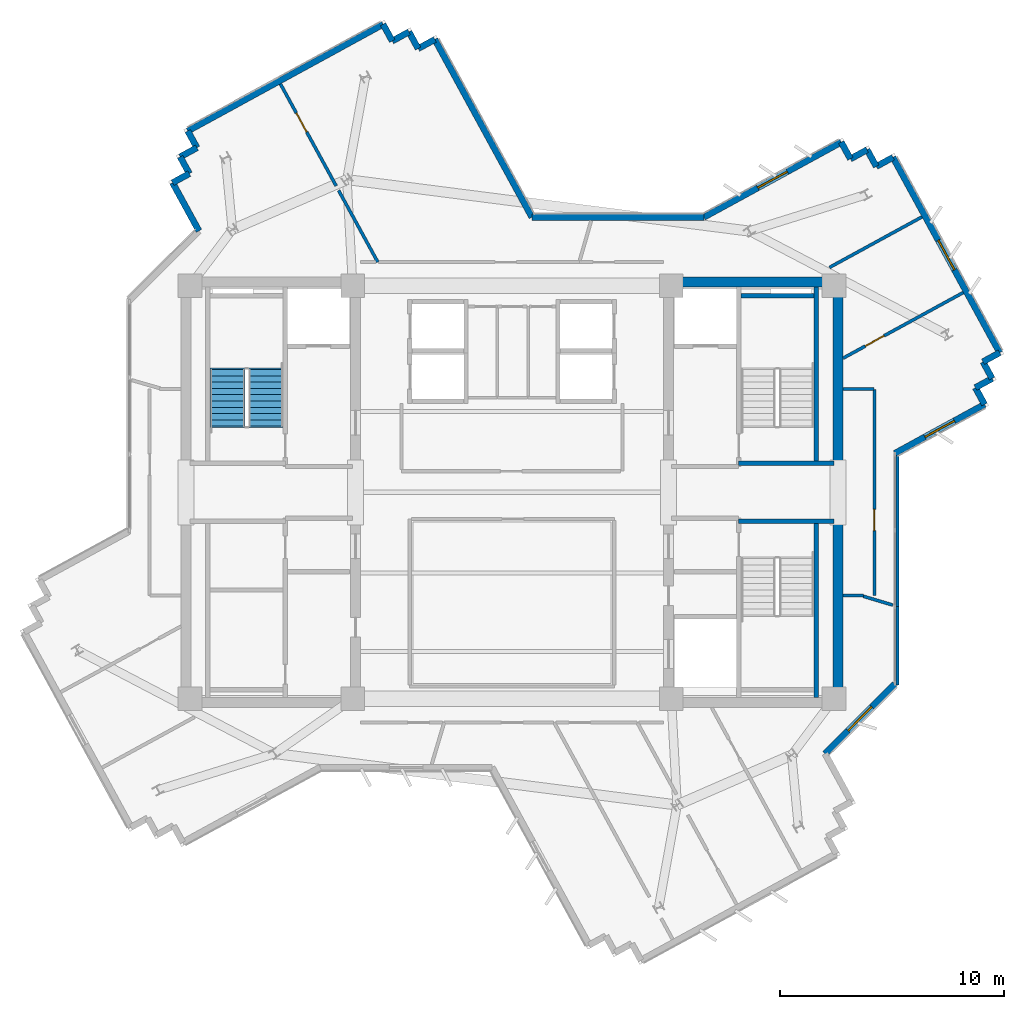
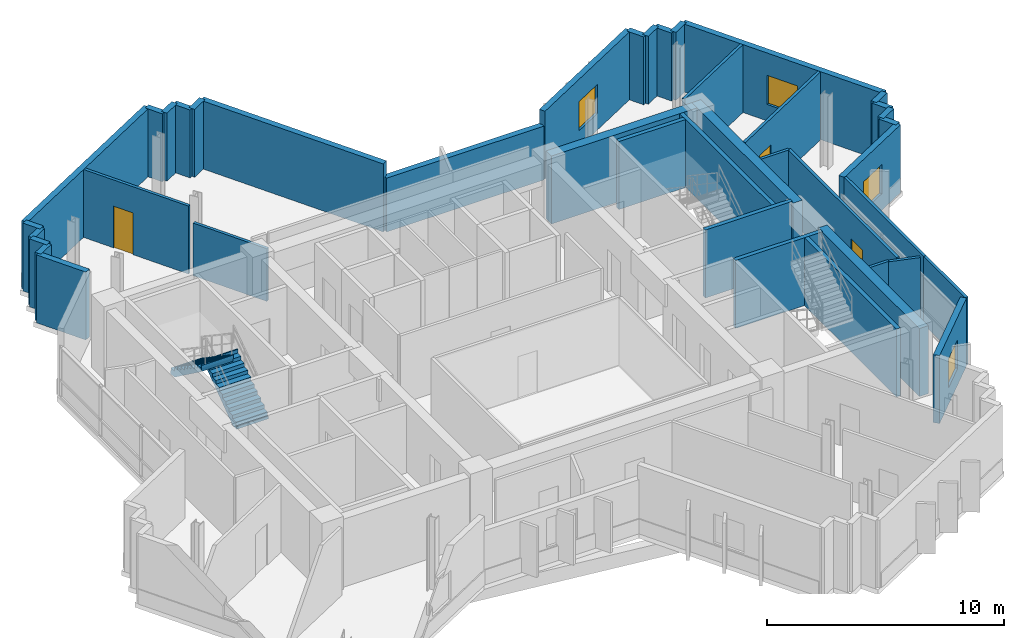
# One storey, part 8 of 13: 42 walls, 4 windows, 3 doors, 2 stair flights, 7 openings, 1 element without a shape of its own.
"""IFC4 building model written with IfcOpenShell, lengths in metres."""

from ifc_helpers import new_model, si_unit, direction, frame, frame_2d, origin, place, context, subcontext, project, spatial, polyline, rectangle, outline, extrude, source, transform, mapped, material, layer, layer_set, type_object, element, fill, aggregate, save


model = new_model("IFC4")

# Units and contexts
model_context = context("Model", 3, precision=1e-05, world=origin(), true_north=direction((0.0, 1.0)))
body_context = subcontext(model_context, "Body", "Model", "MODEL_VIEW")
ifc_project = project(units=[si_unit("LENGTHUNIT", "METRE"), si_unit("AREAUNIT", "SQUARE_METRE"), si_unit("VOLUMEUNIT", "CUBIC_METRE"), si_unit("PLANEANGLEUNIT", "RADIAN"), si_unit("MASSUNIT", "GRAM", prefix="KILO")], contexts=[model_context])

# Site, building, storey
site_placement = place(None, origin())
site = spatial("IfcSite", under=ifc_project, at=site_placement, CompositionType="ELEMENT")
building_placement = place(site_placement, origin())
building = spatial("IfcBuilding", under=site, at=building_placement, Name="Zahravan Cultural Tower", CompositionType="ELEMENT")
storey_placement = place(building_placement, frame((0.0, 0.0, 250.35009765625)))
storey = spatial("IfcBuildingStorey", under=building, at=storey_placement, Name="L59", CompositionType="ELEMENT", Elevation=250.35009765625)

# Wall, opening, window
ifc_material_1 = material(Name="Precast concrete C40/50", Category="concrete")
ifc_layer_1 = layer(ifc_material_1, 0.280029296875)
ifc_layer_set_1 = layer_set([ifc_layer_1], Name="Precast concrete C40/50")
wall_type_1 = type_object("IfcWallType", Name="EW-TC-280", PredefinedType="SOLIDWALL", material=ifc_layer_set_1)
wall_1_placement = place(storey_placement, frame((44.54931640625, 39.260009765625, 0.0), z_axis=(0.0, 0.0, 1.0), x_axis=(0.877569176667, 0.479450039279, 0.0)))
wall_1 = element("IfcWall", 1, at=wall_1_placement, inside=storey, type_object=wall_type_1, Name="L59 Exterior Masonry Frame Wall 01", PredefinedType="SOLIDWALL", context=body_context, shape_type="SweptSolid", body=[
    extrude(rectangle(XDim=6.979248046875, YDim=0.280029296875, at=frame_2d((3.48974609375, 0.0))), origin(), (0.0, 0.0, 1.0), 3.5),
])
opening_1_placement = place(wall_1_placement, frame((2.739990234375, 0.0, 0.85009765625)))
opening_1 = element("IfcOpeningElement", 2, at=opening_1_placement, cuts=wall_1, Name="Opening WN-03", PredefinedType="OPENING", context=body_context, shape_type="SweptSolid", body=[
    extrude(rectangle(XDim=1.5, YDim=1.5, at=frame_2d((0.75, 0.75))), frame((0.0, 0.14990234375, 0.0), z_axis=(0.0, -1.0, 0.0), x_axis=(1.0, 0.0, 0.0)), (0.0, 0.0, 1.0), 0.300048828125),
])
ifc_material_2 = material(Name="Low-E solar-control double glazing", Category="glass")
window_type = type_object("IfcWindowType", Name="WN-REC-1500X1500", PartitioningType="SINGLE_PANEL", PredefinedType="WINDOW", material=ifc_material_2)
shared_shape_1 = source(origin(), body_context, "Body", "SweptSolid", [
    extrude(rectangle(XDim=1.5, YDim=1.5, at=frame_2d((0.75, 0.75))), frame((0.0, 0.030029296875, 0.0), z_axis=(0.0, -1.0, 0.0), x_axis=(1.0, 0.0, 0.0)), (0.0, 0.0, 1.0), 0.06005859375),
])
window_1_placement = place(opening_1_placement, origin())
window_1 = element("IfcWindow", 3, at=window_1_placement, inside=storey, type_object=window_type, Name="L59 Recessed Solar Window 01", OverallHeight=1.5, OverallWidth=1.5, PartitioningType="SINGLE_PANEL", PredefinedType="WINDOW", context=body_context, shape_type="MappedRepresentation", body=[
    mapped(shared_shape_1, transform((0.0, 0.0, 0.0), x_axis=(1.0, 0.0, 0.0), y_axis=(0.0, 1.0, 0.0), z_axis=(0.0, 0.0, 1.0), scale=1.0)),
])
fill(opening_1, window_1)

wall_2_placement = place(storey_placement, frame((52.98095703125, 41.929443359375, 0.0), z_axis=(0.0, 0.0, 1.0), x_axis=(0.479472774144, -0.877556755347, 0.0)))
wall_2 = element("IfcWall", 4, at=wall_2_placement, inside=storey, type_object=wall_type_1, Name="L59 Exterior Masonry Frame Wall 06", PredefinedType="SOLIDWALL", context=body_context, shape_type="SweptSolid", body=[
    extrude(rectangle(XDim=9.919921875, YDim=0.280029296875, at=frame_2d((4.9599609375, 0.0))), origin(), (0.0, 0.0, 1.0), 3.5),
])
opening_2_placement = place(wall_2_placement, frame((4.2099609375, 0.0, 0.85009765625)))
opening_2 = element("IfcOpeningElement", 5, at=opening_2_placement, cuts=wall_2, Name="Opening WN-03", PredefinedType="OPENING", context=body_context, shape_type="SweptSolid", body=[
    extrude(rectangle(XDim=1.5, YDim=1.5, at=frame_2d((0.75, 0.75))), frame((0.0, 0.14990234375, 0.0), z_axis=(0.0, -1.0, 0.0), x_axis=(1.0, 0.0, 0.0)), (0.0, 0.0, 1.0), 0.300048828125),
])
window_2_placement = place(opening_2_placement, origin())
window_2 = element("IfcWindow", 6, at=window_2_placement, inside=storey, type_object=window_type, Name="L59 Recessed Solar Window 02", OverallHeight=1.5, OverallWidth=1.5, PartitioningType="SINGLE_PANEL", PredefinedType="WINDOW", context=body_context, shape_type="MappedRepresentation", body=[
    mapped(shared_shape_1, transform((0.0, 0.0, 0.0), x_axis=(1.0, 0.0, 0.0), y_axis=(0.0, 1.0, 0.0), z_axis=(0.0, 0.0, 1.0), scale=1.0)),
])
fill(opening_2, window_2)

wall_3_placement = place(storey_placement, frame((57.060302734375, 30.9169921875, 0.0), z_axis=(0.0, 0.0, 1.0), x_axis=(-0.877563774399, -0.479459927276, 0.0)))
wall_3 = element("IfcWall", 7, at=wall_3_placement, inside=storey, type_object=wall_type_1, Name="L59 Exterior Masonry Frame Wall 11", PredefinedType="SOLIDWALL", context=body_context, shape_type="SweptSolid", body=[
    extrude(rectangle(XDim=4.558349609375, YDim=0.280029296875, at=frame_2d((2.279296875, 0.0))), origin(), (0.0, 0.0, 1.0), 3.5),
])
opening_3_placement = place(wall_3_placement, frame((1.529052734375, 0.0, 0.85009765625)))
opening_3 = element("IfcOpeningElement", 8, at=opening_3_placement, cuts=wall_3, Name="Opening WN-03", PredefinedType="OPENING", context=body_context, shape_type="SweptSolid", body=[
    extrude(rectangle(XDim=1.5, YDim=1.5, at=frame_2d((0.75, 0.75))), frame((0.0, 0.14990234375, 0.0), z_axis=(0.0, -1.0, 0.0), x_axis=(1.0, 0.0, 0.0)), (0.0, 0.0, 1.0), 0.300048828125),
])
window_3_placement = place(opening_3_placement, origin())
window_3 = element("IfcWindow", 9, at=window_3_placement, inside=storey, type_object=window_type, Name="L59 Recessed Solar Window 03", OverallHeight=1.5, OverallWidth=1.5, PartitioningType="SINGLE_PANEL", PredefinedType="WINDOW", context=body_context, shape_type="MappedRepresentation", body=[
    mapped(shared_shape_1, transform((0.0, 0.0, 0.0), x_axis=(1.0, 0.0, 0.0), y_axis=(0.0, 1.0, 0.0), z_axis=(0.0, 0.0, 1.0), scale=1.0)),
])
fill(opening_3, window_3)

wall_4_placement = place(storey_placement, frame((53.06005859375, 18.4580078125, 0.0), z_axis=(0.0, 0.0, 1.0), x_axis=(-0.707106781187, -0.707106781187, 0.0)))
wall_4 = element("IfcWall", 10, at=wall_4_placement, inside=storey, type_object=wall_type_1, Name="L59 Exterior Masonry Frame Wall 12", PredefinedType="SOLIDWALL", context=body_context, shape_type="SweptSolid", body=[
    extrude(rectangle(XDim=4.3935546875, YDim=0.280029296875, at=frame_2d((2.19677734375, 0.0))), origin(), (0.0, 0.0, 1.0), 3.5),
])
opening_4_placement = place(wall_4_placement, frame((1.447021484375, 0.0, 0.85009765625)))
opening_4 = element("IfcOpeningElement", 11, at=opening_4_placement, cuts=wall_4, Name="Opening WN-03", PredefinedType="OPENING", context=body_context, shape_type="SweptSolid", body=[
    extrude(rectangle(XDim=1.5, YDim=1.5, at=frame_2d((0.75, 0.75))), frame((0.0, 0.14990234375, 0.0), z_axis=(0.0, -1.0, 0.0), x_axis=(1.0, 0.0, 0.0)), (0.0, 0.0, 1.0), 0.300048828125),
])
window_4_placement = place(opening_4_placement, origin())
window_4 = element("IfcWindow", 12, at=window_4_placement, inside=storey, type_object=window_type, Name="L59 Recessed Solar Window 04", OverallHeight=1.5, OverallWidth=1.5, PartitioningType="SINGLE_PANEL", PredefinedType="WINDOW", context=body_context, shape_type="MappedRepresentation", body=[
    mapped(shared_shape_1, transform((0.0, 0.0, 0.0), x_axis=(1.0, 0.0, 0.0), y_axis=(0.0, 1.0, 0.0), z_axis=(0.0, 0.0, 1.0), scale=1.0)),
])
fill(opening_4, window_4)

# Wall, opening, door
ifc_material_3 = material(Name="Gypsum plasterboard partition")
ifc_layer_2 = layer(ifc_material_3, 0.139892578125)
ifc_layer_set_2 = layer_set([ifc_layer_2], Name="Gypsum plasterboard partition")
wall_type_2 = type_object("IfcWallType", Name="W-PART-140", PredefinedType="PARTITIONING", material=ifc_layer_set_2)
wall_5_placement = place(storey_placement, frame((56.109375, 35.9013671875, 0.0), z_axis=(0.0, 0.0, 1.0), x_axis=(-0.877574248726, -0.479440755436, 0.0)))
wall_5 = element("IfcWall", 13, at=wall_5_placement, inside=storey, type_object=wall_type_2, Name="L59 Interior Wall 050", PredefinedType="PARTITIONING", context=body_context, shape_type="SweptSolid", body=[
    extrude(rectangle(XDim=6.1015625, YDim=0.139892578125, at=frame_2d((3.05078125, 0.0))), origin(), (0.0, 0.0, 1.0), 3.5),
])
opening_5_placement = place(wall_5_placement, frame((4.01806640625, 0.0, 0.0)))
opening_5 = element("IfcOpeningElement", 14, at=opening_5_placement, cuts=wall_5, Name="Opening D-L59-24", PredefinedType="OPENING", context=body_context, shape_type="SweptSolid", body=[
    extrude(rectangle(XDim=0.949951171875, YDim=2.14990234375, at=frame_2d((0.47509765625, 1.074951171875))), frame((0.0, 0.079833984375, 0.0), z_axis=(0.0, -1.0, 0.0), x_axis=(1.0, 0.0, 0.0)), (0.0, 0.0, 1.0), 0.159912109375),
])
ifc_material_4 = material(Name="Anodised bronze-aluminium mullion", Category="aluminium")
door_type = type_object("IfcDoorType", Name="DR-ROOM-950", OperationType="NOTDEFINED", PredefinedType="DOOR", material=ifc_material_4)
shared_shape_2 = source(origin(), body_context, "Body", "SweptSolid", [
    extrude(rectangle(XDim=0.949951171875, YDim=2.14990234375, at=frame_2d((0.47509765625, 1.074951171875))), frame((0.0, 0.02490234375, 0.0), z_axis=(0.0, -1.0, 0.0), x_axis=(1.0, 0.0, 0.0)), (0.0, 0.0, 1.0), 0.050048828125),
])
door_1_placement = place(opening_5_placement, origin())
door_1 = element("IfcDoor", 15, at=door_1_placement, inside=storey, type_object=door_type, Name="L59 Door D-L59-24", OperationType="SINGLE_SWING_RIGHT", OverallHeight=2.14990234375, OverallWidth=0.949951171875, PredefinedType="DOOR", context=body_context, shape_type="MappedRepresentation", body=[
    mapped(shared_shape_2, transform((0.0, 0.0, 0.0), x_axis=(1.0, 0.0, 0.0), y_axis=(0.0, 1.0, 0.0), z_axis=(0.0, 0.0, 1.0), scale=1.0)),
])
fill(opening_5, door_1)

wall_6_placement = place(storey_placement, frame((52.14990234375, 22.406005859375, 0.0), z_axis=(0.0, 0.0, 1.0), x_axis=(-2.657666e-05, 0.999999999647, 0.0)))
wall_6 = element("IfcWall", 16, at=wall_6_placement, inside=storey, type_object=wall_type_2, Name="L59 Interior Wall 066", PredefinedType="PARTITIONING", context=body_context, shape_type="SweptSolid", body=[
    extrude(rectangle(XDim=9.186279296875, YDim=0.139892578125, at=frame_2d((4.59326171875, 0.0))), origin(), (0.0, 0.0, 1.0), 3.5),
])
opening_6_placement = place(wall_6_placement, frame((2.8828125, 0.0, 0.0)))
opening_6 = element("IfcOpeningElement", 17, at=opening_6_placement, cuts=wall_6, Name="Opening D-L59-17", PredefinedType="OPENING", context=body_context, shape_type="SweptSolid", body=[
    extrude(rectangle(XDim=0.949951171875, YDim=2.14990234375, at=frame_2d((0.47509765625, 1.074951171875))), frame((0.0, 0.079833984375, 0.0), z_axis=(0.0, -1.0, 0.0), x_axis=(1.0, 0.0, 0.0)), (0.0, 0.0, 1.0), 0.159912109375),
])
door_2_placement = place(opening_6_placement, origin())
door_2 = element("IfcDoor", 18, at=door_2_placement, inside=storey, type_object=door_type, Name="L59 Door D-L59-17", OperationType="SINGLE_SWING_LEFT", OverallHeight=2.14990234375, OverallWidth=0.949951171875, PredefinedType="DOOR", context=body_context, shape_type="MappedRepresentation", body=[
    mapped(shared_shape_2, transform((0.0, 0.0, 0.0), x_axis=(1.0, 0.0, 0.0), y_axis=(0.0, 1.0, 0.0), z_axis=(0.0, 0.0, 1.0), scale=1.0)),
])
fill(opening_6, door_2)

wall_7_placement = place(storey_placement, frame((25.6826171875, 45.196044921875, 0.0), z_axis=(0.0, 0.0, 1.0), x_axis=(0.479427410708, -0.877581539153, 0.0)))
wall_7 = element("IfcWall", 19, at=wall_7_placement, inside=storey, type_object=wall_type_2, Name="L59 Interior Wall 077", PredefinedType="PARTITIONING", context=body_context, shape_type="SweptSolid", body=[
    extrude(rectangle(XDim=5.1728515625, YDim=0.139892578125, at=frame_2d((2.58642578125, 0.0))), origin(), (0.0, 0.0, 1.0), 3.5),
])
opening_7_placement = place(wall_7_placement, frame((1.47802734375, 0.0, 0.0)))
opening_7 = element("IfcOpeningElement", 20, at=opening_7_placement, cuts=wall_7, Name="Opening D-L59-25", PredefinedType="OPENING", context=body_context, shape_type="SweptSolid", body=[
    extrude(rectangle(XDim=0.949951171875, YDim=2.14990234375, at=frame_2d((0.47509765625, 1.074951171875))), frame((0.0, 0.079833984375, 0.0), z_axis=(0.0, -1.0, 0.0), x_axis=(1.0, 0.0, 0.0)), (0.0, 0.0, 1.0), 0.159912109375),
])
door_3_placement = place(opening_7_placement, origin())
door_3 = element("IfcDoor", 21, at=door_3_placement, inside=storey, type_object=door_type, Name="L59 Door D-L59-25", OperationType="SINGLE_SWING_LEFT", OverallHeight=2.14990234375, OverallWidth=0.949951171875, PredefinedType="DOOR", context=body_context, shape_type="MappedRepresentation", body=[
    mapped(shared_shape_2, transform((0.0, 0.0, 0.0), x_axis=(1.0, 0.0, 0.0), y_axis=(0.0, 1.0, 0.0), z_axis=(0.0, 0.0, 1.0), scale=1.0)),
])
fill(opening_7, door_3)

# Walls
ifc_material_5 = material(Name="Concrete C50/60", Category="concrete")
ifc_layer_3 = layer(ifc_material_5, 0.449951171875)
ifc_layer_set_3 = layer_set([ifc_layer_3], Name="Concrete C50/60")
wall_type_3 = type_object("IfcWallType", Name="CW-SHEAR-450-C50", PredefinedType="SHEAR", material=ifc_layer_set_3)
shared_shape_3 = source(origin(), body_context, "Body", "SweptSolid", [
    extrude(rectangle(XDim=8.550048828125, YDim=0.449951171875, at=frame_2d((4.27490234375, 0.0))), origin(), (0.0, 0.0, 1.0), 3.5),
])
for number, where, z_axis, x_axis, name in (
    (22, (50.52490234375, 17.39990234375, 0.0), (0.0, 0.0, 1.0), (0.0, 1.0, 0.0), "L59 Core Shear Wall CW-E-ES-L59"),
    (23, (50.52490234375, 28.050048828125, 0.0), (0.0, 0.0, 1.0), (0.0, 1.0, 0.0), "L59 Core Shear Wall CW-E-EN-L59"),
):
    element("IfcWall", number, at=place(storey_placement, frame(where, z_axis=z_axis, x_axis=x_axis)), inside=storey, type_object=wall_type_3, Name=name, PredefinedType="SHEAR", context=body_context, shape_type="MappedRepresentation", body=[
        mapped(shared_shape_3, transform((0.0, 0.0, 0.0), x_axis=(1.0, 0.0, 0.0), y_axis=(0.0, 1.0, 0.0), z_axis=(0.0, 0.0, 1.0), scale=1.0)),
    ])
shared_shape_4 = source(origin(), body_context, "Body", "SweptSolid", [
    extrude(rectangle(XDim=7.10009765625, YDim=0.449951171875, at=frame_2d((3.550048828125, 0.0))), origin(), (0.0, 0.0, 1.0), 3.5),
])
wall_8_placement = place(storey_placement, frame((43.199951171875, 36.375, 0.0), z_axis=(0.0, 0.0, 1.0), x_axis=(1.0, 0.0, 0.0)))
element("IfcWall", 24, at=wall_8_placement, inside=storey, type_object=wall_type_3, Name="L59 Core Shear Wall CW-E-N-L59", PredefinedType="SHEAR", context=body_context, shape_type="MappedRepresentation", body=[
    mapped(shared_shape_4, transform((0.0, 0.0, 0.0), x_axis=(1.0, 0.0, 0.0), y_axis=(0.0, 1.0, 0.0), z_axis=(0.0, 0.0, 1.0), scale=1.0)),
])
shared_shape_5 = source(origin(), body_context, "Body", "SweptSolid", [
    extrude(rectangle(XDim=0.85009765625, YDim=0.280029296875, at=frame_2d((0.425048828125, 0.0))), origin(), (0.0, 0.0, 1.0), 3.5),
])
for number, where, z_axis, x_axis, name in (
    (25, (51.827392578125, 42.267822265625, 0.0), (0.0, 0.0, 1.0), (0.479656876283, -0.877456141943, 0.0), "L59 Exterior Masonry Frame Wall 04"),
    (26, (56.65283203125, 31.6630859375, 0.0), (0.0, 0.0, 1.0), (0.479314855696, -0.877643019177, 0.0), "L59 Exterior Masonry Frame Wall 10"),
    (27, (21.619140625, 41.2041015625, 0.0), (0.0, 0.0, 1.0), (-0.479656876283, 0.877456141943, 0.0), "L59 Exterior Masonry Frame Wall 39"),
    (28, (21.21142578125, 41.949951171875, 0.0), (0.0, 0.0, 1.0), (0.877643019177, 0.479314855696, 0.0), "L59 Exterior Masonry Frame Wall 40"),
    (29, (31.40869140625, 47.521240234375, 0.0), (0.0, 0.0, 1.0), (0.479656876283, -0.877456141943, 0.0), "L59 Exterior Masonry Frame Wall 45"),
):
    element("IfcWall", number, at=place(storey_placement, frame(where, z_axis=z_axis, x_axis=x_axis)), inside=storey, type_object=wall_type_1, Name=name, PredefinedType="SOLIDWALL", context=body_context, shape_type="MappedRepresentation", body=[
        mapped(shared_shape_5, transform((0.0, 0.0, 0.0), x_axis=(1.0, 0.0, 0.0), y_axis=(0.0, 1.0, 0.0), z_axis=(0.0, 0.0, 1.0), scale=1.0)),
    ])
shared_shape_6 = source(origin(), body_context, "Body", "SweptSolid", [
    extrude(rectangle(XDim=0.849853515625, YDim=0.280029296875, at=frame_2d((0.4248046875, 0.0))), origin(), (0.0, 0.0, 1.0), 3.5),
])
for number, where, z_axis, x_axis, name in (
    (30, (50.674072265625, 42.606201171875, 0.0), (0.0, 0.0, 1.0), (0.479435691737, -0.877577015132, 0.0), "L59 Exterior Masonry Frame Wall 02"),
    (31, (51.08154296875, 41.8603515625, 0.0), (0.0, 0.0, 1.0), (0.877577015132, 0.479435691737, 0.0), "L59 Exterior Masonry Frame Wall 03"),
    (32, (52.235107421875, 41.52197265625, 0.0), (0.0, 0.0, 1.0), (0.877577015132, 0.479435691737, 0.0), "L59 Exterior Masonry Frame Wall 05"),
    (33, (56.9912109375, 32.81640625, 0.0), (0.0, 0.0, 1.0), (0.479435691737, -0.877577015132, 0.0), "L59 Exterior Masonry Frame Wall 08"),
    (34, (57.398681640625, 32.070556640625, 0.0), (0.0, 0.0, 1.0), (-0.877577015132, -0.479435691737, 0.0), "L59 Exterior Masonry Frame Wall 09"),
    (35, (30.25537109375, 47.859619140625, 0.0), (0.0, 0.0, 1.0), (0.479435691737, -0.877577015132, 0.0), "L59 Exterior Masonry Frame Wall 43"),
    (36, (30.662841796875, 47.11376953125, 0.0), (0.0, 0.0, 1.0), (0.877577015132, 0.479435691737, 0.0), "L59 Exterior Masonry Frame Wall 44"),
    (37, (31.81640625, 46.775390625, 0.0), (0.0, 0.0, 1.0), (0.877577015132, 0.479435691737, 0.0), "L59 Exterior Masonry Frame Wall 46"),
):
    element("IfcWall", number, at=place(storey_placement, frame(where, z_axis=z_axis, x_axis=x_axis)), inside=storey, type_object=wall_type_1, Name=name, PredefinedType="SOLIDWALL", context=body_context, shape_type="MappedRepresentation", body=[
        mapped(shared_shape_6, transform((0.0, 0.0, 0.0), x_axis=(1.0, 0.0, 0.0), y_axis=(0.0, 1.0, 0.0), z_axis=(0.0, 0.0, 1.0), scale=1.0)),
    ])
shared_shape_7 = source(origin(), body_context, "Body", "SweptSolid", [
    extrude(rectangle(XDim=9.920166015625, YDim=0.280029296875, at=frame_2d((4.9599609375, 0.0))), origin(), (0.0, 0.0, 1.0), 3.5),
])
wall_9_placement = place(storey_placement, frame((21.5498046875, 43.103515625, 0.0), z_axis=(0.0, 0.0, 1.0), x_axis=(0.877572768104, 0.479443465574, 0.0)))
element("IfcWall", 38, at=wall_9_placement, inside=storey, type_object=wall_type_1, Name="L59 Exterior Masonry Frame Wall 42", PredefinedType="SOLIDWALL", context=body_context, shape_type="MappedRepresentation", body=[
    mapped(shared_shape_7, transform((0.0, 0.0, 0.0), x_axis=(1.0, 0.0, 0.0), y_axis=(0.0, 1.0, 0.0), z_axis=(0.0, 0.0, 1.0), scale=1.0)),
])
shared_shape_8 = source(origin(), body_context, "Body", "SweptSolid", [
    extrude(rectangle(XDim=0.850341796875, YDim=0.280029296875, at=frame_2d((0.42529296875, 0.0))), origin(), (0.0, 0.0, 1.0), 3.5),
])
for number, where, z_axis, x_axis, name in (
    (39, (57.7373046875, 33.22412109375, 0.0), (0.0, 0.0, 1.0), (-0.87752219781, -0.479536017782, 0.0), "L59 Exterior Masonry Frame Wall 07"),
    (40, (20.873046875, 40.79638671875, 0.0), (0.0, 0.0, 1.0), (0.87752219781, 0.479536017782, 0.0), "L59 Exterior Masonry Frame Wall 38"),
    (41, (21.95751953125, 42.357421875, 0.0), (0.0, 0.0, 1.0), (-0.479536017782, 0.87752219781, 0.0), "L59 Exterior Masonry Frame Wall 41"),
):
    element("IfcWall", number, at=place(storey_placement, frame(where, z_axis=z_axis, x_axis=x_axis)), inside=storey, type_object=wall_type_1, Name=name, PredefinedType="SOLIDWALL", context=body_context, shape_type="MappedRepresentation", body=[
        mapped(shared_shape_8, transform((0.0, 0.0, 0.0), x_axis=(1.0, 0.0, 0.0), y_axis=(0.0, 1.0, 0.0), z_axis=(0.0, 0.0, 1.0), scale=1.0)),
    ])
shared_shape_9 = source(origin(), body_context, "Body", "SweptSolid", [
    extrude(rectangle(XDim=2.447509765625, YDim=0.280029296875, at=frame_2d((1.2236328125, 0.0))), origin(), (0.0, 0.0, 1.0), 3.5),
])
wall_10_placement = place(storey_placement, frame((22.046630859375, 38.648681640625, 0.0), z_axis=(0.0, 0.0, 1.0), x_axis=(-0.47951595933, 0.877533158774, 0.0)))
element("IfcWall", 42, at=wall_10_placement, inside=storey, type_object=wall_type_1, Name="L59 Exterior Masonry Frame Wall 37", PredefinedType="SOLIDWALL", context=body_context, shape_type="MappedRepresentation", body=[
    mapped(shared_shape_9, transform((0.0, 0.0, 0.0), x_axis=(1.0, 0.0, 0.0), y_axis=(0.0, 1.0, 0.0), z_axis=(0.0, 0.0, 1.0), scale=1.0)),
])
shared_shape_10 = source(origin(), body_context, "Body", "SweptSolid", [
    extrude(rectangle(XDim=9.0283203125, YDim=0.280029296875, at=frame_2d((4.51416015625, 0.0))), origin(), (0.0, 0.0, 1.0), 3.5),
])
wall_11_placement = place(storey_placement, frame((32.562255859375, 47.182861328125, 0.0), z_axis=(0.0, 0.0, 1.0), x_axis=(0.479475345647, -0.877555350344, 0.0)))
element("IfcWall", 43, at=wall_11_placement, inside=storey, type_object=wall_type_1, Name="L59 Exterior Masonry Frame Wall 47", PredefinedType="SOLIDWALL", context=body_context, shape_type="MappedRepresentation", body=[
    mapped(shared_shape_10, transform((0.0, 0.0, 0.0), x_axis=(1.0, 0.0, 0.0), y_axis=(0.0, 1.0, 0.0), z_axis=(0.0, 0.0, 1.0), scale=1.0)),
])
shared_shape_11 = source(origin(), body_context, "Body", "SweptSolid", [
    extrude(rectangle(XDim=7.658203125, YDim=0.280029296875, at=frame_2d((3.8291015625, 0.0))), origin(), (0.0, 0.0, 1.0), 2.77197265625),
])
wall_12_placement = place(storey_placement, frame((36.89111328125, 39.260009765625, 0.0), z_axis=(0.0, 0.0, 1.0), x_axis=(1.0, 0.0, 0.0)))
element("IfcWall", 44, at=wall_12_placement, inside=storey, type_object=wall_type_1, Name="L59 Exterior Masonry Frame Wall 48", PredefinedType="SOLIDWALL", context=body_context, shape_type="MappedRepresentation", body=[
    mapped(shared_shape_11, transform((0.0, 0.0, 0.0), x_axis=(1.0, 0.0, 0.0), y_axis=(0.0, 1.0, 0.0), z_axis=(0.0, 0.0, 1.0), scale=1.0)),
])
ifc_material_6 = material(Name="Concrete C45/55", Category="concrete")
ifc_layer_4 = layer(ifc_material_6, 0.199951171875)
ifc_layer_set_4 = layer_set([ifc_layer_4], Name="Concrete C45/55")
wall_type_4 = type_object("IfcWallType", Name="W-SHAFT-200", PredefinedType="SOLIDWALL", material=ifc_layer_set_4)
shared_shape_12 = source(origin(), body_context, "Body", "SweptSolid", [
    extrude(rectangle(XDim=7.869873046875, YDim=0.199951171875, at=frame_2d((3.93505859375, 0.0))), origin(), (0.0, 0.0, 1.0), 3.5),
])
for number, where, z_axis, x_axis, name in (
    (45, (49.550048828125, 17.85009765625, 0.0), (0.0, 0.0, 1.0), (0.0, 1.0, 0.0), "L59 Interior Wall 003"),
    (46, (49.550048828125, 28.280029296875, 0.0), (0.0, 0.0, 1.0), (0.0, 1.0, 0.0), "L59 Interior Wall 004"),
):
    element("IfcWall", number, at=place(storey_placement, frame(where, z_axis=z_axis, x_axis=x_axis)), inside=storey, type_object=wall_type_4, Name=name, PredefinedType="SOLIDWALL", context=body_context, shape_type="MappedRepresentation", body=[
        mapped(shared_shape_12, transform((0.0, 0.0, 0.0), x_axis=(1.0, 0.0, 0.0), y_axis=(0.0, 1.0, 0.0), z_axis=(0.0, 0.0, 1.0), scale=1.0)),
    ])
shared_shape_13 = source(origin(), body_context, "Body", "SweptSolid", [
    extrude(rectangle(XDim=4.25, YDim=0.199951171875, at=frame_2d((2.125, 0.0))), origin(), (0.0, 0.0, 1.0), 3.5),
])
for number, where, z_axis, x_axis, name in (
    (47, (46.10009765625, 25.715087890625, 0.0), (0.0, 0.0, 1.0), (1.0, 0.0, 0.0), "L59 Interior Wall 014"),
    (48, (46.10009765625, 28.284912109375, 0.0), (0.0, 0.0, 1.0), (1.0, 0.0, 0.0), "L59 Interior Wall 016"),
):
    element("IfcWall", number, at=place(storey_placement, frame(where, z_axis=z_axis, x_axis=x_axis)), inside=storey, type_object=wall_type_4, Name=name, PredefinedType="SOLIDWALL", context=body_context, shape_type="MappedRepresentation", body=[
        mapped(shared_shape_13, transform((0.0, 0.0, 0.0), x_axis=(1.0, 0.0, 0.0), y_axis=(0.0, 1.0, 0.0), z_axis=(0.0, 0.0, 1.0), scale=1.0)),
    ])
shared_shape_14 = source(origin(), body_context, "Body", "SweptSolid", [
    extrude(rectangle(XDim=3.25, YDim=0.199951171875, at=frame_2d((1.625, 0.0))), origin(), (0.0, 0.0, 1.0), 3.5),
])
wall_13_placement = place(storey_placement, frame((46.199951171875, 35.75, 0.0), z_axis=(0.0, 0.0, 1.0), x_axis=(1.0, 0.0, 0.0)))
element("IfcWall", 49, at=wall_13_placement, inside=storey, type_object=wall_type_4, Name="L59 Interior Wall 018", PredefinedType="SOLIDWALL", context=body_context, shape_type="MappedRepresentation", body=[
    mapped(shared_shape_14, transform((0.0, 0.0, 0.0), x_axis=(1.0, 0.0, 0.0), y_axis=(0.0, 1.0, 0.0), z_axis=(0.0, 0.0, 1.0), scale=1.0)),
])
shared_shape_15 = source(origin(), body_context, "Body", "SweptSolid", [
    extrude(rectangle(XDim=4.6953125, YDim=0.139892578125, at=frame_2d((2.34765625, 0.0))), origin(), (0.0, 0.0, 1.0), 3.5),
])
wall_14_placement = place(storey_placement, frame((50.147705078125, 37.02001953125, 0.0), z_axis=(0.0, 0.0, 1.0), x_axis=(0.877559526902, 0.479467701461, 0.0)))
element("IfcWall", 50, at=wall_14_placement, inside=storey, type_object=wall_type_2, Name="L59 Interior Wall 049", PredefinedType="PARTITIONING", context=body_context, shape_type="MappedRepresentation", body=[
    mapped(shared_shape_15, transform((0.0, 0.0, 0.0), x_axis=(1.0, 0.0, 0.0), y_axis=(0.0, 1.0, 0.0), z_axis=(0.0, 0.0, 1.0), scale=1.0)),
])
shared_shape_16 = source(origin(), body_context, "Body", "SweptSolid", [
    extrude(rectangle(XDim=1.38916015625, YDim=0.139892578125, at=frame_2d((0.694580078125, 0.0))), origin(), (0.0, 0.0, 1.0), 3.5),
])
wall_15_placement = place(storey_placement, frame((52.14404296875, 31.60009765625, 0.0), z_axis=(0.0, 0.0, 1.0), x_axis=(-1.0, 0.0, 0.0)))
element("IfcWall", 51, at=wall_15_placement, inside=storey, type_object=wall_type_2, Name="L59 Interior Wall 067", PredefinedType="PARTITIONING", context=body_context, shape_type="MappedRepresentation", body=[
    mapped(shared_shape_16, transform((0.0, 0.0, 0.0), x_axis=(1.0, 0.0, 0.0), y_axis=(0.0, 1.0, 0.0), z_axis=(0.0, 0.0, 1.0), scale=1.0)),
])
shared_shape_17 = source(origin(), body_context, "Body", "SweptSolid", [
    extrude(rectangle(XDim=6.7216796875, YDim=0.139892578125, at=frame_2d((3.36083984375, 0.0))), origin(), (0.0, 0.0, 1.0), 3.5),
])
wall_16_placement = place(storey_placement, frame((53.18359375, 28.6337890625, 0.0), z_axis=(0.0, 0.0, 1.0), x_axis=(-0.000544820492, -0.999999851585, 0.0)))
element("IfcWall", 52, at=wall_16_placement, inside=storey, type_object=wall_type_2, Name="L59 Interior Wall 068", PredefinedType="PARTITIONING", context=body_context, shape_type="MappedRepresentation", body=[
    mapped(shared_shape_17, transform((0.0, 0.0, 0.0), x_axis=(1.0, 0.0, 0.0), y_axis=(0.0, 1.0, 0.0), z_axis=(0.0, 0.0, 1.0), scale=1.0)),
])
shared_shape_18 = source(origin(), body_context, "Body", "SweptSolid", [
    extrude(rectangle(XDim=1.372802734375, YDim=0.139892578125, at=frame_2d((0.6865234375, 0.0))), origin(), (0.0, 0.0, 1.0), 3.5),
])
wall_17_placement = place(storey_placement, frame((52.972412109375, 21.97412109375, 0.0), z_axis=(0.0, 0.0, 1.0), x_axis=(-0.958236472503, 0.285977031883, 0.0)))
element("IfcWall", 53, at=wall_17_placement, inside=storey, type_object=wall_type_2, Name="L59 Interior Wall 069", PredefinedType="PARTITIONING", context=body_context, shape_type="MappedRepresentation", body=[
    mapped(shared_shape_18, transform((0.0, 0.0, 0.0), x_axis=(1.0, 0.0, 0.0), y_axis=(0.0, 1.0, 0.0), z_axis=(0.0, 0.0, 1.0), scale=1.0)),
])
shared_shape_19 = source(origin(), body_context, "Body", "SweptSolid", [
    extrude(rectangle(XDim=0.912109375, YDim=0.139892578125, at=frame_2d((0.4560546875, 0.0))), origin(), (0.0, 0.0, 1.0), 3.5),
])
wall_18_placement = place(storey_placement, frame((50.7548828125, 22.39990234375, 0.0), z_axis=(0.0, 0.0, 1.0), x_axis=(1.0, 0.0, 0.0)))
element("IfcWall", 54, at=wall_18_placement, inside=storey, type_object=wall_type_2, Name="L59 Interior Wall 070", PredefinedType="PARTITIONING", context=body_context, shape_type="MappedRepresentation", body=[
    mapped(shared_shape_19, transform((0.0, 0.0, 0.0), x_axis=(1.0, 0.0, 0.0), y_axis=(0.0, 1.0, 0.0), z_axis=(0.0, 0.0, 1.0), scale=1.0)),
])
shared_shape_20 = source(origin(), body_context, "Body", "SweptSolid", [
    extrude(rectangle(XDim=3.50390625, YDim=0.139892578125, at=frame_2d((1.751953125, 0.0))), origin(), (0.0, 0.0, 1.0), 3.5),
])
wall_19_placement = place(storey_placement, frame((53.179931640625, 21.912109375, 0.0), z_axis=(0.0, 0.0, 1.0), x_axis=(0.0, -1.0, 0.0)))
element("IfcWall", 55, at=wall_19_placement, inside=storey, type_object=wall_type_2, Name="L59 Interior Wall 071", PredefinedType="PARTITIONING", context=body_context, shape_type="MappedRepresentation", body=[
    mapped(shared_shape_20, transform((0.0, 0.0, 0.0), x_axis=(1.0, 0.0, 0.0), y_axis=(0.0, 1.0, 0.0), z_axis=(0.0, 0.0, 1.0), scale=1.0)),
])
shared_shape_21 = source(origin(), body_context, "Body", "SweptSolid", [
    extrude(rectangle(XDim=3.6435546875, YDim=0.139892578125, at=frame_2d((1.82177734375, 0.0))), origin(), (0.0, 0.0, 1.0), 2.712890625),
])
wall_20_placement = place(storey_placement, frame((28.271484375, 40.457275390625, 0.0), z_axis=(0.0, 0.0, 1.0), x_axis=(0.479509272429, -0.877536812706, 0.0)))
element("IfcWall", 56, at=wall_20_placement, inside=storey, type_object=wall_type_2, Name="L59 Interior Wall 078", PredefinedType="PARTITIONING", context=body_context, shape_type="MappedRepresentation", body=[
    mapped(shared_shape_21, transform((0.0, 0.0, 0.0), x_axis=(1.0, 0.0, 0.0), y_axis=(0.0, 1.0, 0.0), z_axis=(0.0, 0.0, 1.0), scale=1.0)),
])

# Stair, stair flights
stair_type = type_object("IfcStairType", Name="STR-DL-1550-375", PredefinedType="HALF_TURN_STAIR", material=ifc_material_6)
stair_placement = place(storey_placement, origin())
stair = element("IfcStair", 57, at=stair_placement, inside=storey, type_object=stair_type, Name="L59 West Core North Exit Stair ST-W1", PredefinedType="HALF_TURN_STAIR")
stair_flight_type = type_object("IfcStairFlightType", Name="FLG-DL-1550-375", PredefinedType="STRAIGHT", material=ifc_material_6)
stair_flight_1_placement = place(storey_placement, frame((25.02490234375, 29.949951171875, 0.0), z_axis=(0.0, 0.0, 1.0), x_axis=(0.0, 1.0, 0.0)))
stair_flight_1 = element("IfcStairFlight", 58, at=stair_flight_1_placement, type_object=stair_flight_type, Name="ST-W1 flight 1", NumberOfRisers=10, NumberOfTreads=9, PredefinedType="STRAIGHT", RiserHeight=0.1875, TreadLength=0.28, context=body_context, shape_type="SweptSolid", body=[
    extrude(outline(polyline([(-0.06494140625, -0.139892578125), (-0.06494140625, 0.0), (0.0, 0.0), (0.0, 0.1875), (0.280029296875, 0.1875), (0.280029296875, 0.375), (0.56005859375, 0.375), (0.56005859375, 0.5625), (0.840087890625, 0.5625), (0.840087890625, 0.75), (1.1201171875, 0.75), (1.1201171875, 0.9375), (1.39990234375, 0.9375), (1.39990234375, 1.125), (1.679931640625, 1.125), (1.679931640625, 1.3125), (1.9599609375, 1.3125), (1.9599609375, 1.5), (2.239990234375, 1.5), (2.239990234375, 1.6875), (2.52001953125, 1.6875), (2.52001953125, 1.875), (2.5849609375, 1.875), (2.5849609375, 1.72509765625), (2.52001953125, 1.507080078125), (0.26953125, -0.139892578125), (-0.06494140625, -0.139892578125)])), frame((0.0, 0.77490234375, 0.0), z_axis=(0.0, -1.0, 0.0), x_axis=(1.0, 0.0, 0.0)), (0.0, 0.0, 1.0), 1.550048828125),
])
stair_flight_2_placement = place(storey_placement, frame((23.324951171875, 32.469970703125, 1.875), z_axis=(0.0, 0.0, 1.0), x_axis=(0.0, -1.0, 0.0)))
stair_flight_2 = element("IfcStairFlight", 59, at=stair_flight_2_placement, type_object=stair_flight_type, Name="ST-W1 flight 2", NumberOfRisers=10, NumberOfTreads=9, PredefinedType="STRAIGHT", RiserHeight=0.1875, TreadLength=0.28, context=body_context, shape_type="SweptSolid", body=[
    extrude(outline(polyline([(-0.06494140625, -0.139892578125), (-0.06494140625, 0.0), (0.0, 0.0), (0.0, 0.1875), (0.280029296875, 0.1875), (0.280029296875, 0.375), (0.56005859375, 0.375), (0.56005859375, 0.5625), (0.840087890625, 0.5625), (0.840087890625, 0.75), (1.1201171875, 0.75), (1.1201171875, 0.9375), (1.39990234375, 0.9375), (1.39990234375, 1.125), (1.679931640625, 1.125), (1.679931640625, 1.3125), (1.9599609375, 1.3125), (1.9599609375, 1.5), (2.239990234375, 1.5), (2.239990234375, 1.6875), (2.52001953125, 1.6875), (2.52001953125, 1.875), (2.5849609375, 1.875), (2.5849609375, 1.72509765625), (2.52001953125, 1.507080078125), (0.26953125, -0.139892578125), (-0.06494140625, -0.139892578125)])), frame((0.0, 0.77490234375, 0.0), z_axis=(0.0, -1.0, 0.0), x_axis=(1.0, 0.0, 0.0)), (0.0, 0.0, 1.0), 1.550048828125),
])
aggregate(stair, [stair_flight_1, stair_flight_2])

save(model, "model.ifc")
